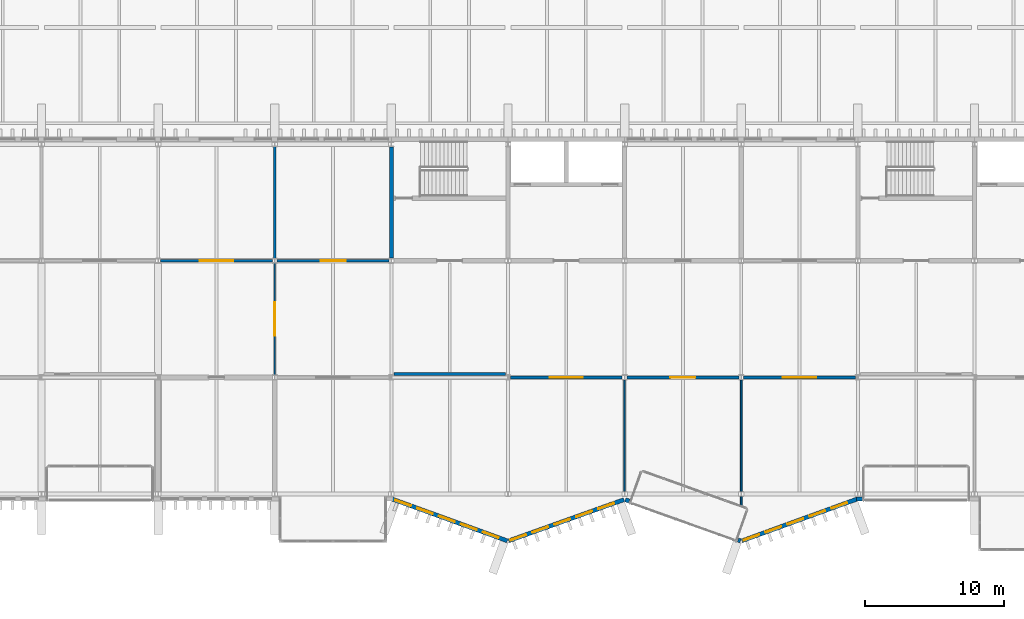
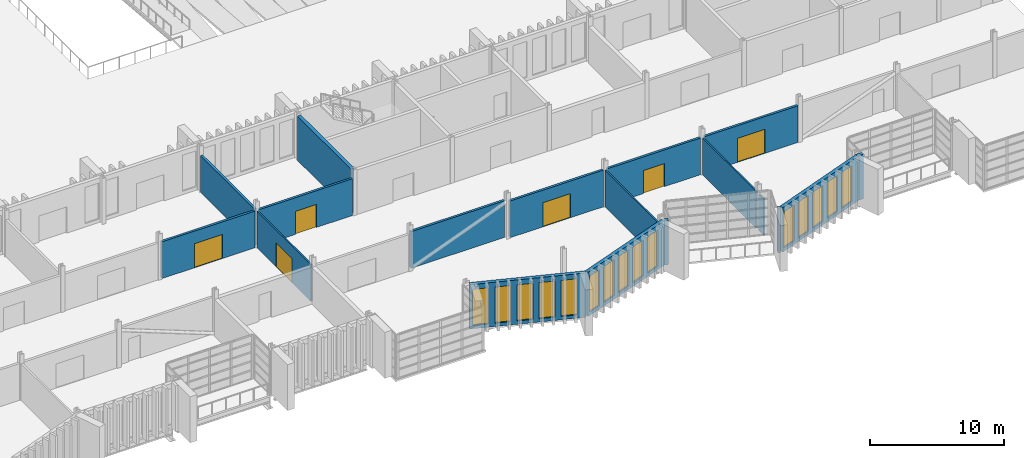
# One storey, part 61 of 96: 18 walls, 15 windows, 6 doors, 21 openings.
"""IFC4 building model written with IfcOpenShell, lengths in metres."""

from ifc_helpers import new_model, si_unit, direction, frame, frame_2d, origin, place, context, subcontext, project, spatial, rectangle, extrude, material, layer, layer_set, type_object, element, fill, save


model = new_model("IFC4")

# Units and contexts
model_context = context("Model", 3, precision=1e-05, world=origin(), true_north=direction((0.0, 1.0)))
body_context = subcontext(model_context, "Body", "Model", "MODEL_VIEW")
ifc_project = project(units=[si_unit("LENGTHUNIT", "METRE"), si_unit("AREAUNIT", "SQUARE_METRE"), si_unit("VOLUMEUNIT", "CUBIC_METRE"), si_unit("PLANEANGLEUNIT", "RADIAN"), si_unit("MASSUNIT", "GRAM", prefix="KILO")], contexts=[model_context])

# Site, building, storey
site_placement = place(None, origin())
site = spatial("IfcSite", under=ifc_project, at=site_placement, CompositionType="ELEMENT")
building_placement = place(site_placement, origin())
building = spatial("IfcBuilding", under=site, at=building_placement, Name="Cresset Court Congress Hotel", CompositionType="ELEMENT")
storey_placement = place(building_placement, frame((0.0, 0.0, 6.0)))
storey = spatial("IfcBuildingStorey", under=building, at=storey_placement, Name="L01", CompositionType="ELEMENT", Elevation=6.0)

# Walls
ifc_material_1 = material(Name="Concrete C50", Category="concrete")
ifc_layer_1 = layer(ifc_material_1, 0.300048828125)
ifc_layer_set_1 = layer_set([ifc_layer_1], Name="Core wall 300 Concrete C50")
wall_type_1 = type_object("IfcWallType", Name="Core wall 300 Concrete C50", PredefinedType="SHEAR", material=ifc_layer_set_1)
wall_1_placement = place(storey_placement, frame((100.800048828125, 17.0, 0.0), z_axis=(0.0, 0.0, 1.0), x_axis=(0.0, 1.0, 0.0)))
element("IfcWall", 1, at=wall_1_placement, inside=storey, type_object=wall_type_1, Name="Core wall ST-B4", PredefinedType="SHEAR", context=body_context, shape_type="SweptSolid", body=[
    extrude(rectangle(XDim=8.0, YDim=0.300048828125, at=frame_2d((4.0, 0.0))), origin(), (0.0, 0.0, 1.0), 4.050048828125),
])
ifc_material_2 = material(Name="Concrete C40", Category="concrete")
ifc_layer_2 = layer(ifc_material_2, 0.300048828125)
ifc_layer_set_2 = layer_set([ifc_layer_2], Name="External wall 300 Concrete C40")
wall_type_2 = type_object("IfcWallType", Name="External wall 300 Concrete C40", PredefinedType="SOLIDWALL", material=ifc_layer_set_2)
wall_2_placement = place(storey_placement, frame((134.300048828125, -0.35009765625, 0.0), z_axis=(0.0, 0.0, 1.0), x_axis=(1.0, 0.0, 0.0)))
element("IfcWall", 2, at=wall_2_placement, inside=storey, type_object=wall_type_2, Name="External wall", PredefinedType="SOLIDWALL", context=body_context, shape_type="SweptSolid", body=[
    extrude(rectangle(XDim=0.5, YDim=0.300048828125, at=frame_2d((0.25, 0.0))), origin(), (0.0, 0.0, 1.0), 4.050048828125),
])

# Wall, openings, windows
wall_3_placement = place(storey_placement, frame((100.851318359375, -0.35888671875, 0.0), z_axis=(0.0, 0.0, 1.0), x_axis=(0.939953187971, -0.341303390584, 0.0)))
wall_3 = element("IfcWall", 3, at=wall_3_placement, inside=storey, type_object=wall_type_2, Name="External wall", PredefinedType="SOLIDWALL", context=body_context, shape_type="SweptSolid", body=[
    extrude(rectangle(XDim=8.828369140625, YDim=0.300048828125, at=frame_2d((4.4140625, 0.0))), origin(), (0.0, 0.0, 1.0), 4.050048828125),
])
opening_1_placement = place(wall_3_placement, frame((0.239990234375, 0.0, 0.300048828125)))
opening_1 = element("IfcOpeningElement", 4, at=opening_1_placement, cuts=wall_3, Name="Opening NB-01-34", PredefinedType="OPENING", context=body_context, shape_type="SweptSolid", body=[
    extrude(rectangle(XDim=1.199951171875, YDim=3.300048828125, at=frame_2d((0.60009765625, 1.64990234375))), frame((0.0, 0.159912109375, 0.0), z_axis=(0.0, -1.0, 0.0), x_axis=(1.0, 0.0, 0.0)), (0.0, 0.0, 1.0), 0.320068359375),
])
opening_2_placement = place(wall_3_placement, frame((1.919921875, 0.0, 0.300048828125)))
opening_2 = element("IfcOpeningElement", 5, at=opening_2_placement, cuts=wall_3, Name="Opening NB-01-35", PredefinedType="OPENING", context=body_context, shape_type="SweptSolid", body=[
    extrude(rectangle(XDim=1.199951171875, YDim=3.300048828125, at=frame_2d((0.60009765625, 1.64990234375))), frame((0.0, 0.159912109375, 0.0), z_axis=(0.0, -1.0, 0.0), x_axis=(1.0, 0.0, 0.0)), (0.0, 0.0, 1.0), 0.320068359375),
])
opening_3_placement = place(wall_3_placement, frame((3.60009765625, 0.0, 0.300048828125)))
opening_3 = element("IfcOpeningElement", 6, at=opening_3_placement, cuts=wall_3, Name="Opening NB-01-36", PredefinedType="OPENING", context=body_context, shape_type="SweptSolid", body=[
    extrude(rectangle(XDim=1.199951171875, YDim=3.300048828125, at=frame_2d((0.60009765625, 1.64990234375))), frame((0.0, 0.159912109375, 0.0), z_axis=(0.0, -1.0, 0.0), x_axis=(1.0, 0.0, 0.0)), (0.0, 0.0, 1.0), 0.320068359375),
])
opening_4_placement = place(wall_3_placement, frame((5.280029296875, 0.0, 0.300048828125)))
opening_4 = element("IfcOpeningElement", 7, at=opening_4_placement, cuts=wall_3, Name="Opening NB-01-37", PredefinedType="OPENING", context=body_context, shape_type="SweptSolid", body=[
    extrude(rectangle(XDim=1.199951171875, YDim=3.300048828125, at=frame_2d((0.60009765625, 1.64990234375))), frame((0.0, 0.159912109375, 0.0), z_axis=(0.0, -1.0, 0.0), x_axis=(1.0, 0.0, 0.0)), (0.0, 0.0, 1.0), 0.320068359375),
])
opening_5_placement = place(wall_3_placement, frame((6.9599609375, 0.0, 0.300048828125)))
opening_5 = element("IfcOpeningElement", 8, at=opening_5_placement, cuts=wall_3, Name="Opening NB-01-38", PredefinedType="OPENING", context=body_context, shape_type="SweptSolid", body=[
    extrude(rectangle(XDim=1.199951171875, YDim=3.300048828125, at=frame_2d((0.60009765625, 1.64990234375))), frame((0.0, 0.159912109375, 0.0), z_axis=(0.0, -1.0, 0.0), x_axis=(1.0, 0.0, 0.0)), (0.0, 0.0, 1.0), 0.320068359375),
])
ifc_material_3 = material(Name="Aluminium frame with double glazing", Category="aluminium")
window_type = type_object("IfcWindowType", Name="Window 1200x3300", PartitioningType="TRIPLE_PANEL_VERTICAL", PredefinedType="WINDOW", material=ifc_material_3)
window_1_placement = place(opening_1_placement, origin())
window_1 = element("IfcWindow", 9, at=window_1_placement, inside=storey, type_object=window_type, Name="Window NB-01-34", OverallHeight=3.300048828125, OverallWidth=1.199951171875, PartitioningType="TRIPLE_PANEL_VERTICAL", PredefinedType="WINDOW", context=body_context, shape_type="SweptSolid", body=[
    extrude(rectangle(XDim=1.199951171875, YDim=3.300048828125, at=frame_2d((0.60009765625, 1.64990234375))), frame((0.0, 0.030029296875, 0.0), z_axis=(0.0, -1.0, 0.0), x_axis=(1.0, 0.0, 0.0)), (0.0, 0.0, 1.0), 0.06005859375),
])
fill(opening_1, window_1)
window_2_placement = place(opening_2_placement, origin())
window_2 = element("IfcWindow", 10, at=window_2_placement, inside=storey, type_object=window_type, Name="Window NB-01-35", OverallHeight=3.300048828125, OverallWidth=1.199951171875, PartitioningType="TRIPLE_PANEL_VERTICAL", PredefinedType="WINDOW", context=body_context, shape_type="SweptSolid", body=[
    extrude(rectangle(XDim=1.199951171875, YDim=3.300048828125, at=frame_2d((0.60009765625, 1.64990234375))), frame((0.0, 0.030029296875, 0.0), z_axis=(0.0, -1.0, 0.0), x_axis=(1.0, 0.0, 0.0)), (0.0, 0.0, 1.0), 0.06005859375),
])
fill(opening_2, window_2)
window_3_placement = place(opening_3_placement, origin())
window_3 = element("IfcWindow", 11, at=window_3_placement, inside=storey, type_object=window_type, Name="Window NB-01-36", OverallHeight=3.300048828125, OverallWidth=1.199951171875, PartitioningType="TRIPLE_PANEL_VERTICAL", PredefinedType="WINDOW", context=body_context, shape_type="SweptSolid", body=[
    extrude(rectangle(XDim=1.199951171875, YDim=3.300048828125, at=frame_2d((0.60009765625, 1.64990234375))), frame((0.0, 0.030029296875, 0.0), z_axis=(0.0, -1.0, 0.0), x_axis=(1.0, 0.0, 0.0)), (0.0, 0.0, 1.0), 0.06005859375),
])
fill(opening_3, window_3)
window_4_placement = place(opening_4_placement, origin())
window_4 = element("IfcWindow", 12, at=window_4_placement, inside=storey, type_object=window_type, Name="Window NB-01-37", OverallHeight=3.300048828125, OverallWidth=1.199951171875, PartitioningType="TRIPLE_PANEL_VERTICAL", PredefinedType="WINDOW", context=body_context, shape_type="SweptSolid", body=[
    extrude(rectangle(XDim=1.199951171875, YDim=3.300048828125, at=frame_2d((0.60009765625, 1.64990234375))), frame((0.0, 0.030029296875, 0.0), z_axis=(0.0, -1.0, 0.0), x_axis=(1.0, 0.0, 0.0)), (0.0, 0.0, 1.0), 0.06005859375),
])
fill(opening_4, window_4)
window_5_placement = place(opening_5_placement, origin())
window_5 = element("IfcWindow", 13, at=window_5_placement, inside=storey, type_object=window_type, Name="Window NB-01-38", OverallHeight=3.300048828125, OverallWidth=1.199951171875, PartitioningType="TRIPLE_PANEL_VERTICAL", PredefinedType="WINDOW", context=body_context, shape_type="SweptSolid", body=[
    extrude(rectangle(XDim=1.199951171875, YDim=3.300048828125, at=frame_2d((0.60009765625, 1.64990234375))), frame((0.0, 0.030029296875, 0.0), z_axis=(0.0, -1.0, 0.0), x_axis=(1.0, 0.0, 0.0)), (0.0, 0.0, 1.0), 0.06005859375),
])
fill(opening_5, window_5)

wall_4_placement = place(storey_placement, frame((109.251220703125, -3.372314453125, 0.0), z_axis=(0.0, 0.0, 1.0), x_axis=(0.941744418946, 0.336329376334, 0.0)))
wall_4 = element("IfcWall", 14, at=wall_4_placement, inside=storey, type_object=wall_type_2, Name="External wall", PredefinedType="SOLIDWALL", context=body_context, shape_type="SweptSolid", body=[
    extrude(rectangle(XDim=8.811767578125, YDim=0.300048828125, at=frame_2d((4.40576171875, 0.0))), origin(), (0.0, 0.0, 1.0), 4.050048828125),
])
opening_6_placement = place(wall_4_placement, frame((0.132080078125, 0.0, 0.300048828125)))
opening_6 = element("IfcOpeningElement", 15, at=opening_6_placement, cuts=wall_4, Name="Opening NB-01-39", PredefinedType="OPENING", context=body_context, shape_type="SweptSolid", body=[
    extrude(rectangle(XDim=1.199951171875, YDim=3.300048828125, at=frame_2d((0.60009765625, 1.64990234375))), frame((0.0, 0.159912109375, 0.0), z_axis=(0.0, -1.0, 0.0), x_axis=(1.0, 0.0, 0.0)), (0.0, 0.0, 1.0), 0.320068359375),
])
opening_7_placement = place(wall_4_placement, frame((1.81201171875, 0.0, 0.300048828125)))
opening_7 = element("IfcOpeningElement", 16, at=opening_7_placement, cuts=wall_4, Name="Opening NB-01-40", PredefinedType="OPENING", context=body_context, shape_type="SweptSolid", body=[
    extrude(rectangle(XDim=1.199951171875, YDim=3.300048828125, at=frame_2d((0.60009765625, 1.64990234375))), frame((0.0, 0.159912109375, 0.0), z_axis=(0.0, -1.0, 0.0), x_axis=(1.0, 0.0, 0.0)), (0.0, 0.0, 1.0), 0.320068359375),
])
opening_8_placement = place(wall_4_placement, frame((3.491943359375, 0.0, 0.300048828125)))
opening_8 = element("IfcOpeningElement", 17, at=opening_8_placement, cuts=wall_4, Name="Opening NB-01-41", PredefinedType="OPENING", context=body_context, shape_type="SweptSolid", body=[
    extrude(rectangle(XDim=1.199951171875, YDim=3.300048828125, at=frame_2d((0.60009765625, 1.64990234375))), frame((0.0, 0.159912109375, 0.0), z_axis=(0.0, -1.0, 0.0), x_axis=(1.0, 0.0, 0.0)), (0.0, 0.0, 1.0), 0.320068359375),
])
opening_9_placement = place(wall_4_placement, frame((5.172119140625, 0.0, 0.300048828125)))
opening_9 = element("IfcOpeningElement", 18, at=opening_9_placement, cuts=wall_4, Name="Opening NB-01-42", PredefinedType="OPENING", context=body_context, shape_type="SweptSolid", body=[
    extrude(rectangle(XDim=1.199951171875, YDim=3.300048828125, at=frame_2d((0.60009765625, 1.64990234375))), frame((0.0, 0.159912109375, 0.0), z_axis=(0.0, -1.0, 0.0), x_axis=(1.0, 0.0, 0.0)), (0.0, 0.0, 1.0), 0.320068359375),
])
opening_10_placement = place(wall_4_placement, frame((6.85205078125, 0.0, 0.300048828125)))
opening_10 = element("IfcOpeningElement", 19, at=opening_10_placement, cuts=wall_4, Name="Opening NB-01-43", PredefinedType="OPENING", context=body_context, shape_type="SweptSolid", body=[
    extrude(rectangle(XDim=1.199951171875, YDim=3.300048828125, at=frame_2d((0.60009765625, 1.64990234375))), frame((0.0, 0.159912109375, 0.0), z_axis=(0.0, -1.0, 0.0), x_axis=(1.0, 0.0, 0.0)), (0.0, 0.0, 1.0), 0.320068359375),
])
window_6_placement = place(opening_6_placement, origin())
window_6 = element("IfcWindow", 20, at=window_6_placement, inside=storey, type_object=window_type, Name="Window NB-01-39", OverallHeight=3.300048828125, OverallWidth=1.199951171875, PartitioningType="TRIPLE_PANEL_VERTICAL", PredefinedType="WINDOW", context=body_context, shape_type="SweptSolid", body=[
    extrude(rectangle(XDim=1.199951171875, YDim=3.300048828125, at=frame_2d((0.60009765625, 1.64990234375))), frame((0.0, 0.030029296875, 0.0), z_axis=(0.0, -1.0, 0.0), x_axis=(1.0, 0.0, 0.0)), (0.0, 0.0, 1.0), 0.06005859375),
])
fill(opening_6, window_6)
window_7_placement = place(opening_7_placement, origin())
window_7 = element("IfcWindow", 21, at=window_7_placement, inside=storey, type_object=window_type, Name="Window NB-01-40", OverallHeight=3.300048828125, OverallWidth=1.199951171875, PartitioningType="TRIPLE_PANEL_VERTICAL", PredefinedType="WINDOW", context=body_context, shape_type="SweptSolid", body=[
    extrude(rectangle(XDim=1.199951171875, YDim=3.300048828125, at=frame_2d((0.60009765625, 1.64990234375))), frame((0.0, 0.030029296875, 0.0), z_axis=(0.0, -1.0, 0.0), x_axis=(1.0, 0.0, 0.0)), (0.0, 0.0, 1.0), 0.06005859375),
])
fill(opening_7, window_7)
window_8_placement = place(opening_8_placement, origin())
window_8 = element("IfcWindow", 22, at=window_8_placement, inside=storey, type_object=window_type, Name="Window NB-01-41", OverallHeight=3.300048828125, OverallWidth=1.199951171875, PartitioningType="TRIPLE_PANEL_VERTICAL", PredefinedType="WINDOW", context=body_context, shape_type="SweptSolid", body=[
    extrude(rectangle(XDim=1.199951171875, YDim=3.300048828125, at=frame_2d((0.60009765625, 1.64990234375))), frame((0.0, 0.030029296875, 0.0), z_axis=(0.0, -1.0, 0.0), x_axis=(1.0, 0.0, 0.0)), (0.0, 0.0, 1.0), 0.06005859375),
])
fill(opening_8, window_8)
window_9_placement = place(opening_9_placement, origin())
window_9 = element("IfcWindow", 23, at=window_9_placement, inside=storey, type_object=window_type, Name="Window NB-01-42", OverallHeight=3.300048828125, OverallWidth=1.199951171875, PartitioningType="TRIPLE_PANEL_VERTICAL", PredefinedType="WINDOW", context=body_context, shape_type="SweptSolid", body=[
    extrude(rectangle(XDim=1.199951171875, YDim=3.300048828125, at=frame_2d((0.60009765625, 1.64990234375))), frame((0.0, 0.030029296875, 0.0), z_axis=(0.0, -1.0, 0.0), x_axis=(1.0, 0.0, 0.0)), (0.0, 0.0, 1.0), 0.06005859375),
])
fill(opening_9, window_9)
window_10_placement = place(opening_10_placement, origin())
window_10 = element("IfcWindow", 24, at=window_10_placement, inside=storey, type_object=window_type, Name="Window NB-01-43", OverallHeight=3.300048828125, OverallWidth=1.199951171875, PartitioningType="TRIPLE_PANEL_VERTICAL", PredefinedType="WINDOW", context=body_context, shape_type="SweptSolid", body=[
    extrude(rectangle(XDim=1.199951171875, YDim=3.300048828125, at=frame_2d((0.60009765625, 1.64990234375))), frame((0.0, 0.030029296875, 0.0), z_axis=(0.0, -1.0, 0.0), x_axis=(1.0, 0.0, 0.0)), (0.0, 0.0, 1.0), 0.06005859375),
])
fill(opening_10, window_10)

# Walls
wall_5_placement = place(storey_placement, frame((117.650390625, -0.40869140625, 0.0), z_axis=(0.0, 0.0, 1.0), x_axis=(0.941889038699, -0.335924156289, 0.0)))
element("IfcWall", 25, at=wall_5_placement, inside=storey, type_object=wall_type_2, Name="External wall", PredefinedType="SOLIDWALL", context=body_context, shape_type="SweptSolid", body=[
    extrude(rectangle(XDim=0.300048828125, YDim=0.300048828125, at=frame_2d((0.14990234375, 0.0))), origin(), (0.0, 0.0, 1.0), 4.050048828125),
])
wall_6_placement = place(storey_placement, frame((125.767822265625, -3.307861328125, 0.0), z_axis=(0.0, 0.0, 1.0), x_axis=(0.942000485661, -0.335611509061, 0.0)))
element("IfcWall", 26, at=wall_6_placement, inside=storey, type_object=wall_type_2, Name="External wall", PredefinedType="SOLIDWALL", context=body_context, shape_type="SweptSolid", body=[
    extrude(rectangle(XDim=0.192138671875, YDim=0.300048828125, at=frame_2d((0.09619140625, 0.0))), origin(), (0.0, 0.0, 1.0), 4.050048828125),
])

# Wall, openings, windows
wall_7_placement = place(storey_placement, frame((126.05029296875, -3.3720703125, 0.0), z_axis=(0.0, 0.0, 1.0), x_axis=(0.939956409183, 0.3412945192, 0.0)))
wall_7 = element("IfcWall", 27, at=wall_7_placement, inside=storey, type_object=wall_type_2, Name="External wall", PredefinedType="SOLIDWALL", context=body_context, shape_type="SweptSolid", body=[
    extrude(rectangle(XDim=8.82861328125, YDim=0.300048828125, at=frame_2d((4.414306640625, 0.0))), origin(), (0.0, 0.0, 1.0), 4.050048828125),
])
opening_11_placement = place(wall_7_placement, frame((0.132080078125, 0.0, 0.300048828125)))
opening_11 = element("IfcOpeningElement", 28, at=opening_11_placement, cuts=wall_7, Name="Opening NB-01-44", PredefinedType="OPENING", context=body_context, shape_type="SweptSolid", body=[
    extrude(rectangle(XDim=1.199951171875, YDim=3.300048828125, at=frame_2d((0.60009765625, 1.64990234375))), frame((0.0, 0.159912109375, 0.0), z_axis=(0.0, -1.0, 0.0), x_axis=(1.0, 0.0, 0.0)), (0.0, 0.0, 1.0), 0.320068359375),
])
opening_12_placement = place(wall_7_placement, frame((1.81201171875, 0.0, 0.300048828125)))
opening_12 = element("IfcOpeningElement", 29, at=opening_12_placement, cuts=wall_7, Name="Opening NB-01-45", PredefinedType="OPENING", context=body_context, shape_type="SweptSolid", body=[
    extrude(rectangle(XDim=1.199951171875, YDim=3.300048828125, at=frame_2d((0.60009765625, 1.64990234375))), frame((0.0, 0.159912109375, 0.0), z_axis=(0.0, -1.0, 0.0), x_axis=(1.0, 0.0, 0.0)), (0.0, 0.0, 1.0), 0.320068359375),
])
opening_13_placement = place(wall_7_placement, frame((3.491943359375, 0.0, 0.300048828125)))
opening_13 = element("IfcOpeningElement", 30, at=opening_13_placement, cuts=wall_7, Name="Opening NB-01-46", PredefinedType="OPENING", context=body_context, shape_type="SweptSolid", body=[
    extrude(rectangle(XDim=1.199951171875, YDim=3.300048828125, at=frame_2d((0.60009765625, 1.64990234375))), frame((0.0, 0.159912109375, 0.0), z_axis=(0.0, -1.0, 0.0), x_axis=(1.0, 0.0, 0.0)), (0.0, 0.0, 1.0), 0.320068359375),
])
opening_14_placement = place(wall_7_placement, frame((5.172119140625, 0.0, 0.300048828125)))
opening_14 = element("IfcOpeningElement", 31, at=opening_14_placement, cuts=wall_7, Name="Opening NB-01-47", PredefinedType="OPENING", context=body_context, shape_type="SweptSolid", body=[
    extrude(rectangle(XDim=1.199951171875, YDim=3.300048828125, at=frame_2d((0.60009765625, 1.64990234375))), frame((0.0, 0.159912109375, 0.0), z_axis=(0.0, -1.0, 0.0), x_axis=(1.0, 0.0, 0.0)), (0.0, 0.0, 1.0), 0.320068359375),
])
opening_15_placement = place(wall_7_placement, frame((6.85205078125, 0.0, 0.300048828125)))
opening_15 = element("IfcOpeningElement", 32, at=opening_15_placement, cuts=wall_7, Name="Opening NB-01-48", PredefinedType="OPENING", context=body_context, shape_type="SweptSolid", body=[
    extrude(rectangle(XDim=1.199951171875, YDim=3.300048828125, at=frame_2d((0.60009765625, 1.64990234375))), frame((0.0, 0.159912109375, 0.0), z_axis=(0.0, -1.0, 0.0), x_axis=(1.0, 0.0, 0.0)), (0.0, 0.0, 1.0), 0.320068359375),
])
window_11_placement = place(opening_11_placement, origin())
window_11 = element("IfcWindow", 33, at=window_11_placement, inside=storey, type_object=window_type, Name="Window NB-01-44", OverallHeight=3.300048828125, OverallWidth=1.199951171875, PartitioningType="TRIPLE_PANEL_VERTICAL", PredefinedType="WINDOW", context=body_context, shape_type="SweptSolid", body=[
    extrude(rectangle(XDim=1.199951171875, YDim=3.300048828125, at=frame_2d((0.60009765625, 1.64990234375))), frame((0.0, 0.030029296875, 0.0), z_axis=(0.0, -1.0, 0.0), x_axis=(1.0, 0.0, 0.0)), (0.0, 0.0, 1.0), 0.06005859375),
])
fill(opening_11, window_11)
window_12_placement = place(opening_12_placement, origin())
window_12 = element("IfcWindow", 34, at=window_12_placement, inside=storey, type_object=window_type, Name="Window NB-01-45", OverallHeight=3.300048828125, OverallWidth=1.199951171875, PartitioningType="TRIPLE_PANEL_VERTICAL", PredefinedType="WINDOW", context=body_context, shape_type="SweptSolid", body=[
    extrude(rectangle(XDim=1.199951171875, YDim=3.300048828125, at=frame_2d((0.60009765625, 1.64990234375))), frame((0.0, 0.030029296875, 0.0), z_axis=(0.0, -1.0, 0.0), x_axis=(1.0, 0.0, 0.0)), (0.0, 0.0, 1.0), 0.06005859375),
])
fill(opening_12, window_12)
window_13_placement = place(opening_13_placement, origin())
window_13 = element("IfcWindow", 35, at=window_13_placement, inside=storey, type_object=window_type, Name="Window NB-01-46", OverallHeight=3.300048828125, OverallWidth=1.199951171875, PartitioningType="TRIPLE_PANEL_VERTICAL", PredefinedType="WINDOW", context=body_context, shape_type="SweptSolid", body=[
    extrude(rectangle(XDim=1.199951171875, YDim=3.300048828125, at=frame_2d((0.60009765625, 1.64990234375))), frame((0.0, 0.030029296875, 0.0), z_axis=(0.0, -1.0, 0.0), x_axis=(1.0, 0.0, 0.0)), (0.0, 0.0, 1.0), 0.06005859375),
])
fill(opening_13, window_13)
window_14_placement = place(opening_14_placement, origin())
window_14 = element("IfcWindow", 36, at=window_14_placement, inside=storey, type_object=window_type, Name="Window NB-01-47", OverallHeight=3.300048828125, OverallWidth=1.199951171875, PartitioningType="TRIPLE_PANEL_VERTICAL", PredefinedType="WINDOW", context=body_context, shape_type="SweptSolid", body=[
    extrude(rectangle(XDim=1.199951171875, YDim=3.300048828125, at=frame_2d((0.60009765625, 1.64990234375))), frame((0.0, 0.030029296875, 0.0), z_axis=(0.0, -1.0, 0.0), x_axis=(1.0, 0.0, 0.0)), (0.0, 0.0, 1.0), 0.06005859375),
])
fill(opening_14, window_14)
window_15_placement = place(opening_15_placement, origin())
window_15 = element("IfcWindow", 37, at=window_15_placement, inside=storey, type_object=window_type, Name="Window NB-01-48", OverallHeight=3.300048828125, OverallWidth=1.199951171875, PartitioningType="TRIPLE_PANEL_VERTICAL", PredefinedType="WINDOW", context=body_context, shape_type="SweptSolid", body=[
    extrude(rectangle(XDim=1.199951171875, YDim=3.300048828125, at=frame_2d((0.60009765625, 1.64990234375))), frame((0.0, 0.030029296875, 0.0), z_axis=(0.0, -1.0, 0.0), x_axis=(1.0, 0.0, 0.0)), (0.0, 0.0, 1.0), 0.06005859375),
])
fill(opening_15, window_15)

# Wall
ifc_material_4 = material(Name="Gypsum board on steel studs", Category="steel")
ifc_layer_3 = layer(ifc_material_4, 0.199951171875)
ifc_layer_set_3 = layer_set([ifc_layer_3], Name="Foyer wall 200")
wall_type_3 = type_object("IfcWallType", Name="Foyer wall 200", PredefinedType="PARTITIONING", material=ifc_layer_set_3)
wall_8_placement = place(storey_placement, frame((100.97509765625, 8.646484375, 0.0), z_axis=(0.0, 0.0, 1.0), x_axis=(1.0, 0.0, 0.0)))
element("IfcWall", 38, at=wall_8_placement, inside=storey, type_object=wall_type_3, Name="Foyer wall", PredefinedType="PARTITIONING", context=body_context, shape_type="SweptSolid", body=[
    extrude(rectangle(XDim=8.0498046875, YDim=0.199951171875, at=frame_2d((4.02490234375, 0.0))), origin(), (0.0, 0.0, 1.0), 3.35009765625),
])

# Wall, opening, door
wall_9_placement = place(storey_placement, frame((109.375, 8.39990234375, 0.0), z_axis=(0.0, 0.0, 1.0), x_axis=(1.0, 0.0, 0.0)))
wall_9 = element("IfcWall", 39, at=wall_9_placement, inside=storey, type_object=wall_type_3, Name="Foyer wall", PredefinedType="PARTITIONING", context=body_context, shape_type="SweptSolid", body=[
    extrude(rectangle(XDim=8.050048828125, YDim=0.199951171875, at=frame_2d((4.02490234375, 0.0))), origin(), (0.0, 0.0, 1.0), 3.35009765625),
])
opening_16_placement = place(wall_9_placement, frame((2.824951171875, 0.0, 0.0)))
opening_16 = element("IfcOpeningElement", 40, at=opening_16_placement, cuts=wall_9, Name="Opening DB-01-15", PredefinedType="OPENING", context=body_context, shape_type="SweptSolid", body=[
    extrude(rectangle(XDim=2.39990234375, YDim=2.199951171875, at=frame_2d((1.199951171875, 1.10009765625))), frame((0.0, 0.10986328125, 0.0), z_axis=(0.0, -1.0, 0.0), x_axis=(1.0, 0.0, 0.0)), (0.0, 0.0, 1.0), 0.219970703125),
])
ifc_material_5 = material(Name="Timber and steel frame", Category="steel")
door_type_1 = type_object("IfcDoorType", Name="Fire door FD30 double 2400x2200", OperationType="DOUBLE_DOOR_SINGLE_SWING", PredefinedType="DOOR", material=ifc_material_5)
door_1_placement = place(opening_16_placement, origin())
door_1 = element("IfcDoor", 41, at=door_1_placement, inside=storey, type_object=door_type_1, Name="Meeting Room door", OperationType="DOUBLE_DOOR_SINGLE_SWING", OverallHeight=2.199951171875, OverallWidth=2.39990234375, PredefinedType="DOOR", context=body_context, shape_type="SweptSolid", body=[
    extrude(rectangle(XDim=2.39990234375, YDim=2.199951171875, at=frame_2d((1.199951171875, 1.10009765625))), frame((0.0, 0.02490234375, 0.0), z_axis=(0.0, -1.0, 0.0), x_axis=(1.0, 0.0, 0.0)), (0.0, 0.0, 1.0), 0.050048828125),
])
fill(opening_16, door_1)

wall_10_placement = place(storey_placement, frame((117.77490234375, 8.39990234375, 0.0), z_axis=(0.0, 0.0, 1.0), x_axis=(1.0, 0.0, 0.0)))
wall_10 = element("IfcWall", 42, at=wall_10_placement, inside=storey, type_object=wall_type_3, Name="Foyer wall", PredefinedType="PARTITIONING", context=body_context, shape_type="SweptSolid", body=[
    extrude(rectangle(XDim=8.050048828125, YDim=0.199951171875, at=frame_2d((4.02490234375, 0.0))), origin(), (0.0, 0.0, 1.0), 3.35009765625),
])
opening_17_placement = place(wall_10_placement, frame((3.125, 0.0, 0.0)))
opening_17 = element("IfcOpeningElement", 43, at=opening_17_placement, cuts=wall_10, Name="Opening DB-01-16", PredefinedType="OPENING", context=body_context, shape_type="SweptSolid", body=[
    extrude(rectangle(XDim=1.800048828125, YDim=2.10009765625, at=frame_2d((0.89990234375, 1.050048828125))), frame((0.0, 0.10986328125, 0.0), z_axis=(0.0, -1.0, 0.0), x_axis=(1.0, 0.0, 0.0)), (0.0, 0.0, 1.0), 0.219970703125),
])
ifc_material_6 = material(Name="Timber and steel frame", Category="steel")
door_type_2 = type_object("IfcDoorType", Name="Fire door FD30 double 1800x2100", OperationType="DOUBLE_DOOR_SINGLE_SWING", PredefinedType="DOOR", material=ifc_material_6)
door_2_placement = place(opening_17_placement, origin())
door_2 = element("IfcDoor", 44, at=door_2_placement, inside=storey, type_object=door_type_2, Name="Meeting Room door", OperationType="DOUBLE_DOOR_SINGLE_SWING", OverallHeight=2.10009765625, OverallWidth=1.800048828125, PredefinedType="DOOR", context=body_context, shape_type="SweptSolid", body=[
    extrude(rectangle(XDim=1.800048828125, YDim=2.10009765625, at=frame_2d((0.89990234375, 1.050048828125))), frame((0.0, 0.02490234375, 0.0), z_axis=(0.0, -1.0, 0.0), x_axis=(1.0, 0.0, 0.0)), (0.0, 0.0, 1.0), 0.050048828125),
])
fill(opening_17, door_2)

wall_11_placement = place(storey_placement, frame((126.175048828125, 8.39990234375, 0.0), z_axis=(0.0, 0.0, 1.0), x_axis=(1.0, 0.0, 0.0)))
wall_11 = element("IfcWall", 45, at=wall_11_placement, inside=storey, type_object=wall_type_3, Name="Foyer wall", PredefinedType="PARTITIONING", context=body_context, shape_type="SweptSolid", body=[
    extrude(rectangle(XDim=8.050048828125, YDim=0.199951171875, at=frame_2d((4.02490234375, 0.0))), origin(), (0.0, 0.0, 1.0), 3.35009765625),
])
opening_18_placement = place(wall_11_placement, frame((2.824951171875, 0.0, 0.0)))
opening_18 = element("IfcOpeningElement", 46, at=opening_18_placement, cuts=wall_11, Name="Opening DB-01-17", PredefinedType="OPENING", context=body_context, shape_type="SweptSolid", body=[
    extrude(rectangle(XDim=2.39990234375, YDim=2.199951171875, at=frame_2d((1.199951171875, 1.10009765625))), frame((0.0, 0.10986328125, 0.0), z_axis=(0.0, -1.0, 0.0), x_axis=(1.0, 0.0, 0.0)), (0.0, 0.0, 1.0), 0.219970703125),
])
door_3_placement = place(opening_18_placement, origin())
door_3 = element("IfcDoor", 47, at=door_3_placement, inside=storey, type_object=door_type_1, Name="Meeting Room door", OperationType="DOUBLE_DOOR_SINGLE_SWING", OverallHeight=2.199951171875, OverallWidth=2.39990234375, PredefinedType="DOOR", context=body_context, shape_type="SweptSolid", body=[
    extrude(rectangle(XDim=2.39990234375, YDim=2.199951171875, at=frame_2d((1.199951171875, 1.10009765625))), frame((0.0, 0.02490234375, 0.0), z_axis=(0.0, -1.0, 0.0), x_axis=(1.0, 0.0, 0.0)), (0.0, 0.0, 1.0), 0.050048828125),
])
fill(opening_18, door_3)

wall_12_placement = place(storey_placement, frame((84.175048828125, 16.800048828125, 0.0), z_axis=(0.0, 0.0, 1.0), x_axis=(1.0, 0.0, 0.0)))
wall_12 = element("IfcWall", 48, at=wall_12_placement, inside=storey, type_object=wall_type_3, Name="Foyer wall", PredefinedType="PARTITIONING", context=body_context, shape_type="SweptSolid", body=[
    extrude(rectangle(XDim=8.050048828125, YDim=0.199951171875, at=frame_2d((4.02490234375, 0.0))), origin(), (0.0, 0.0, 1.0), 3.35009765625),
])
opening_19_placement = place(wall_12_placement, frame((2.824951171875, 0.0, 0.0)))
opening_19 = element("IfcOpeningElement", 49, at=opening_19_placement, cuts=wall_12, Name="Opening DB-01-26", PredefinedType="OPENING", context=body_context, shape_type="SweptSolid", body=[
    extrude(rectangle(XDim=2.39990234375, YDim=2.199951171875, at=frame_2d((1.199951171875, 1.10009765625))), frame((0.0, 0.10986328125, 0.0), z_axis=(0.0, -1.0, 0.0), x_axis=(1.0, 0.0, 0.0)), (0.0, 0.0, 1.0), 0.219970703125),
])
ifc_material_7 = material(Name="Fire-resisting glazing in steel frame", Category="steel")
door_type_3 = type_object("IfcDoorType", Name="Smoke door glazed double 2400x2200", OperationType="DOUBLE_DOOR_SINGLE_SWING", PredefinedType="DOOR", material=ifc_material_7)
door_4_placement = place(opening_19_placement, origin())
door_4 = element("IfcDoor", 50, at=door_4_placement, inside=storey, type_object=door_type_3, Name="Gallery door", OperationType="DOUBLE_DOOR_SINGLE_SWING", OverallHeight=2.199951171875, OverallWidth=2.39990234375, PredefinedType="DOOR", context=body_context, shape_type="SweptSolid", body=[
    extrude(rectangle(XDim=2.39990234375, YDim=2.199951171875, at=frame_2d((1.199951171875, 1.10009765625))), frame((0.0, 0.02490234375, 0.0), z_axis=(0.0, -1.0, 0.0), x_axis=(1.0, 0.0, 0.0)), (0.0, 0.0, 1.0), 0.050048828125),
])
fill(opening_19, door_4)

wall_13_placement = place(storey_placement, frame((92.574951171875, 16.800048828125, 0.0), z_axis=(0.0, 0.0, 1.0), x_axis=(1.0, 0.0, 0.0)))
wall_13 = element("IfcWall", 51, at=wall_13_placement, inside=storey, type_object=wall_type_3, Name="Foyer wall", PredefinedType="PARTITIONING", context=body_context, shape_type="SweptSolid", body=[
    extrude(rectangle(XDim=8.050048828125, YDim=0.199951171875, at=frame_2d((4.02490234375, 0.0))), origin(), (0.0, 0.0, 1.0), 3.35009765625),
])
opening_20_placement = place(wall_13_placement, frame((3.125, 0.0, 0.0)))
opening_20 = element("IfcOpeningElement", 52, at=opening_20_placement, cuts=wall_13, Name="Opening DB-01-27", PredefinedType="OPENING", context=body_context, shape_type="SweptSolid", body=[
    extrude(rectangle(XDim=1.800048828125, YDim=2.10009765625, at=frame_2d((0.89990234375, 1.050048828125))), frame((0.0, 0.10986328125, 0.0), z_axis=(0.0, -1.0, 0.0), x_axis=(1.0, 0.0, 0.0)), (0.0, 0.0, 1.0), 0.219970703125),
])
door_5_placement = place(opening_20_placement, origin())
door_5 = element("IfcDoor", 53, at=door_5_placement, inside=storey, type_object=door_type_2, Name="Meeting Room door", OperationType="DOUBLE_DOOR_SINGLE_SWING", OverallHeight=2.10009765625, OverallWidth=1.800048828125, PredefinedType="DOOR", context=body_context, shape_type="SweptSolid", body=[
    extrude(rectangle(XDim=1.800048828125, YDim=2.10009765625, at=frame_2d((0.89990234375, 1.050048828125))), frame((0.0, 0.02490234375, 0.0), z_axis=(0.0, -1.0, 0.0), x_axis=(1.0, 0.0, 0.0)), (0.0, 0.0, 1.0), 0.050048828125),
])
fill(opening_20, door_5)

# Wall
wall_14_placement = place(storey_placement, frame((92.39990234375, 16.97509765625, 0.0), z_axis=(0.0, 0.0, 1.0), x_axis=(0.0, 1.0, 0.0)))
element("IfcWall", 54, at=wall_14_placement, inside=storey, type_object=wall_type_3, Name="Foyer wall", PredefinedType="PARTITIONING", context=body_context, shape_type="SweptSolid", body=[
    extrude(rectangle(XDim=8.0498046875, YDim=0.199951171875, at=frame_2d((4.02490234375, 0.0))), origin(), (0.0, 0.0, 1.0), 3.35009765625),
])

# Wall, opening, door
ifc_material_8 = material(Name="Fire-resisting glazed screen")
ifc_layer_4 = layer(ifc_material_8, 0.125)
ifc_layer_set_4 = layer_set([ifc_layer_4], Name="Glazed fire screen 125")
wall_type_4 = type_object("IfcWallType", Name="Glazed fire screen 125", PredefinedType="PARTITIONING", material=ifc_layer_set_4)
wall_15_placement = place(storey_placement, frame((92.39990234375, 8.574951171875, 0.0), z_axis=(0.0, 0.0, 1.0), x_axis=(0.0, 1.0, 0.0)))
wall_15 = element("IfcWall", 55, at=wall_15_placement, inside=storey, type_object=wall_type_4, Name="Glazed fire screen", PredefinedType="PARTITIONING", context=body_context, shape_type="SweptSolid", body=[
    extrude(rectangle(XDim=8.050048828125, YDim=0.125, at=frame_2d((4.02490234375, 0.0))), origin(), (0.0, 0.0, 1.0), 3.35009765625),
])
opening_21_placement = place(wall_15_placement, frame((2.824951171875, 0.0, 0.0)))
opening_21 = element("IfcOpeningElement", 56, at=opening_21_placement, cuts=wall_15, Name="Opening DB-01-35", PredefinedType="OPENING", context=body_context, shape_type="SweptSolid", body=[
    extrude(rectangle(XDim=2.39990234375, YDim=2.199951171875, at=frame_2d((1.199951171875, 1.10009765625))), frame((0.0, 0.072509765625, 0.0), z_axis=(0.0, -1.0, 0.0), x_axis=(1.0, 0.0, 0.0)), (0.0, 0.0, 1.0), 0.14501953125),
])
door_6_placement = place(opening_21_placement, origin())
door_6 = element("IfcDoor", 57, at=door_6_placement, inside=storey, type_object=door_type_3, Name="Foyer screen door", OperationType="DOUBLE_DOOR_SINGLE_SWING", OverallHeight=2.199951171875, OverallWidth=2.39990234375, PredefinedType="DOOR", context=body_context, shape_type="SweptSolid", body=[
    extrude(rectangle(XDim=2.39990234375, YDim=2.199951171875, at=frame_2d((1.199951171875, 1.10009765625))), frame((0.0, 0.02490234375, 0.0), z_axis=(0.0, -1.0, 0.0), x_axis=(1.0, 0.0, 0.0)), (0.0, 0.0, 1.0), 0.050048828125),
])
fill(opening_21, door_6)

# Walls
ifc_material_9 = material(Name="Laminated timber panels", Category="wood")
ifc_layer_5 = layer(ifc_material_9, 0.125)
ifc_layer_set_5 = layer_set([ifc_layer_5], Name="Operable partition 125")
wall_type_5 = type_object("IfcWallType", Name="Operable partition 125", PredefinedType="MOVABLE", material=ifc_layer_set_5)
wall_16_placement = place(storey_placement, frame((117.60009765625, 0.175048828125, 0.0), z_axis=(0.0, 0.0, 1.0), x_axis=(0.0, 1.0, 0.0)))
element("IfcWall", 58, at=wall_16_placement, inside=storey, type_object=wall_type_5, Name="Operable partition", PredefinedType="MOVABLE", context=body_context, shape_type="SweptSolid", body=[
    extrude(rectangle(XDim=8.050048828125, YDim=0.125, at=frame_2d((4.02490234375, 0.0))), origin(), (0.0, 0.0, 1.0), 3.35009765625),
])
wall_17_placement = place(storey_placement, frame((126.0, -0.895263671875, 0.0), z_axis=(0.0, 0.0, 1.0), x_axis=(0.0, 1.0, 0.0)))
element("IfcWall", 59, at=wall_17_placement, inside=storey, type_object=wall_type_5, Name="Operable partition", PredefinedType="MOVABLE", context=body_context, shape_type="SweptSolid", body=[
    extrude(rectangle(XDim=0.72021484375, YDim=0.125, at=frame_2d((0.360107421875, 0.0))), origin(), (0.0, 0.0, 1.0), 3.35009765625),
])
wall_18_placement = place(storey_placement, frame((126.0, 0.175048828125, 0.0), z_axis=(0.0, 0.0, 1.0), x_axis=(0.0, 1.0, 0.0)))
element("IfcWall", 60, at=wall_18_placement, inside=storey, type_object=wall_type_5, Name="Operable partition", PredefinedType="MOVABLE", context=body_context, shape_type="SweptSolid", body=[
    extrude(rectangle(XDim=8.050048828125, YDim=0.125, at=frame_2d((4.02490234375, 0.0))), origin(), (0.0, 0.0, 1.0), 3.35009765625),
])

save(model, "model.ifc")
